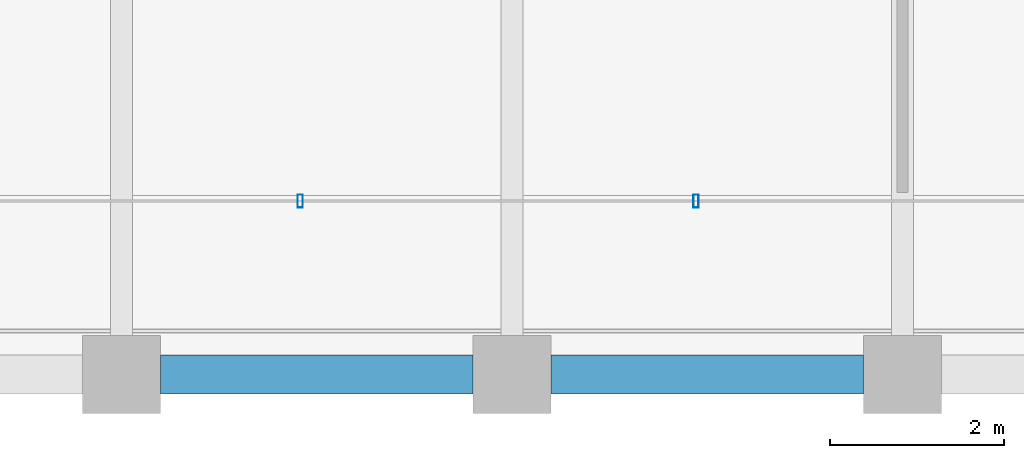
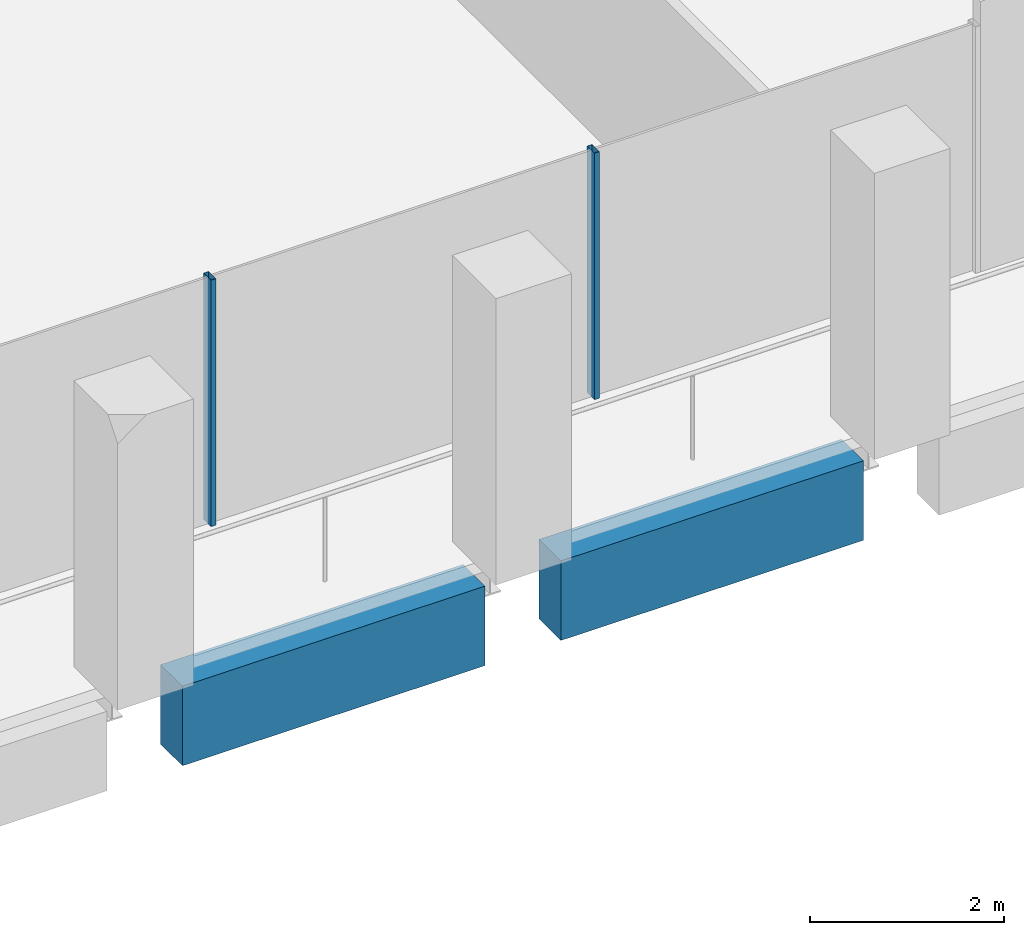
# One storey, part 3 of 40: 2 beams, 2 members, 1 element without a shape of its own.
"""IFC4 building model written with IfcOpenShell, lengths in metres."""

import ifcopenshell
import ifcopenshell.guid

model = None  # the IFC model being written
_history = None  # IfcOwnerHistory: only IFC2X3 demands one
_inside = {}  # id of a spatial element -> (the spatial element, [elements in it])
_under = {}  # id of a project, library or spatial element -> (it, [spatial elements below it])
_declared = {}  # id of a project -> (the project, [libraries it declares])
_typed = {}  # id of a type object -> (the type object, [elements of that type])
_made_of = {}  # id of a material, layer set ... -> (it, [elements and type objects made of it])


def new_model(schema):
    """Start an empty IFC model of exactly this schema.

    Asked for "IFC4X3", IfcOpenShell would pick the latest addendum, in which some entities
    have other attributes; the version numbers below select the first issue.
    IFC2X3 requires an IfcOwnerHistory on every rooted entity: one is made here for all.
    """
    global model, _history
    if schema == "IFC4X3":
        model = ifcopenshell.file(schema_version=(4, 3, 0, 0))
    else:
        model = ifcopenshell.file(schema=schema)
    _inside.clear()
    _under.clear()
    _declared.clear()
    _typed.clear()
    _made_of.clear()
    _history = None
    if model.schema == "IFC2X3":
        org = make("IfcOrganization", Name="unknown")
        user = make(
            "IfcPersonAndOrganization",
            ThePerson=make("IfcPerson", FamilyName="unknown"),
            TheOrganization=org,
        )
        app = make(
            "IfcApplication",
            ApplicationDeveloper=org,
            Version="unknown",
            ApplicationFullName="unknown",
            ApplicationIdentifier="unknown",
        )
        _history = make(
            "IfcOwnerHistory",
            OwningUser=user,
            OwningApplication=app,
            ChangeAction="ADDED",
            CreationDate=0,
        )
    return model


def make(cls, **values):
    """One entity of the class cls with the attributes given. An attribute that is None is left unset."""
    return model.create_entity(
        cls, **{name: value for name, value in values.items() if value is not None}
    )


def rooted(cls, **values):
    """An entity with a GlobalId (a new one), such as an element, a storey or a relation."""
    return make(cls, GlobalId=ifcopenshell.guid.new(), OwnerHistory=_history, **values)


def si_unit(unit_type, name, prefix=None):
    """IfcSIUnit, for example si_unit("LENGTHUNIT", "METRE", prefix="MILLI")."""
    return make("IfcSIUnit", UnitType=unit_type, Prefix=prefix, Name=name)


def assignment(units):
    """IfcUnitAssignment: the units of a project."""
    return None if units is None else make("IfcUnitAssignment", Units=units)


def point(xyz):
    """IfcCartesianPoint."""
    return None if xyz is None else make("IfcCartesianPoint", Coordinates=xyz)


def direction(xyz):
    """IfcDirection."""
    return None if xyz is None else make("IfcDirection", DirectionRatios=xyz)


def frame(location, z_axis=None, x_axis=None):
    """IfcAxis2Placement3D, a coordinate frame: its origin and axes. An axis left out is left unset."""
    return make(
        "IfcAxis2Placement3D",
        Location=point(location),
        Axis=direction(z_axis),
        RefDirection=direction(x_axis),
    )


def frame_2d(location, x_axis=None):
    """IfcAxis2Placement2D, a coordinate frame in the plane: its origin and x axis."""
    return make(
        "IfcAxis2Placement2D", Location=point(location), RefDirection=direction(x_axis)
    )


def origin():
    """The frame at (0, 0, 0) with its axes left unset."""
    return frame((0.0, 0.0, 0.0))


def origin_2d():
    """The frame at (0, 0) in the plane with its x axis left unset."""
    return frame_2d((0.0, 0.0))


def place(relative_to, where):
    """IfcLocalPlacement: puts the frame where relative to a parent placement (None: the world)."""
    return make(
        "IfcLocalPlacement", PlacementRelTo=relative_to, RelativePlacement=where
    )


def context(
    kind, dimensions, precision=None, world=None, true_north=None, identifier=None
):
    """IfcGeometricRepresentationContext, for example the 3D "Model" context."""
    return make(
        "IfcGeometricRepresentationContext",
        ContextIdentifier=identifier,
        ContextType=kind,
        CoordinateSpaceDimension=dimensions,
        Precision=precision,
        WorldCoordinateSystem=world,
        TrueNorth=true_north,
    )


def subcontext(parent, identifier, kind, view, scale=None):
    """IfcGeometricRepresentationSubContext, for example "Body" below "Model"."""
    return make(
        "IfcGeometricRepresentationSubContext",
        ContextIdentifier=identifier,
        ContextType=kind,
        ParentContext=parent,
        TargetScale=scale,
        TargetView=view,
    )


def project(units=None, contexts=None):
    """IfcProject with its units and contexts."""
    return rooted(
        "IfcProject",
        Name="project",
        RepresentationContexts=contexts,
        UnitsInContext=assignment(units),
    )


def spatial(cls, under=None, at=None, **own):
    """A site, building, storey or space (cls), placed at a placement, below another one or the project."""
    s = rooted(cls, ObjectPlacement=at, **own)
    if under is not None:
        _under.setdefault(under.id(), (under, []))[1].append(s)
    return s


def profile(cls, at=None, kind="AREA", **sizes):
    """A parametric profile (cls). Its sizes go by their IFC names, for example OverallWidth=200.0."""
    return make(cls, ProfileType=kind, Position=at, **sizes)


def rectangle(**sizes):
    """IfcRectangleProfileDef."""
    return profile("IfcRectangleProfileDef", **sizes)


def hollow_rectangle(**sizes):
    """IfcRectangleHollowProfileDef."""
    return profile("IfcRectangleHollowProfileDef", **sizes)


def extrude(swept, where, along, depth):
    """IfcExtrudedAreaSolid: the profile swept, set in the frame where, extruded along a direction by depth."""
    return make(
        "IfcExtrudedAreaSolid",
        SweptArea=swept,
        Position=where,
        ExtrudedDirection=direction(along),
        Depth=depth,
    )


def shape(context_of_items, identifier, shape_type, items):
    """IfcShapeRepresentation: the items that make up one representation, for example the "Body"."""
    return make(
        "IfcShapeRepresentation",
        ContextOfItems=context_of_items,
        RepresentationIdentifier=identifier,
        RepresentationType=shape_type,
        Items=items,
    )


def material(Name=None, Category=None):
    """IfcMaterial."""
    return make("IfcMaterial", Name=Name, Category=Category)


def material_profile(
    of_material, cross_section, Name=None, Category=None, Priority=None
):
    """IfcMaterialProfile: a cross section and its material."""
    return make(
        "IfcMaterialProfile",
        Name=Name,
        Material=of_material,
        Profile=cross_section,
        Priority=Priority,
        Category=Category,
    )


def profile_set(profiles, Name=None, composite=None):
    """IfcMaterialProfileSet."""
    return make(
        "IfcMaterialProfileSet",
        Name=Name,
        MaterialProfiles=profiles,
        CompositeProfile=composite,
    )


def made_of(thing, what):
    """Note that an element or type object is made of a material, layer set ...; save() writes the relation."""
    if what is not None:
        _made_of.setdefault(what.id(), (what, []))[1].append(thing)
    return thing


def type_object(cls, material=None, **own):
    """A type object (cls), such as IfcWallType, which elements share."""
    return made_of(rooted(cls, **own), material)


def element(
    cls,
    number,
    at=None,
    inside=None,
    cuts=None,
    type_object=None,
    material=None,
    context=None,
    identifier="Body",
    shape_type=None,
    held_by="IfcProductDefinitionShape",
    body=None,
    shapes=None,
    **own,
):
    """One element of the class cls, such as IfcWall. Its Tag is "e" and its number.

    at: its placement. inside: the storey or other place that contains it. cuts: it is an
    opening in that element (IfcRelVoidsElement). A single representation is given by context,
    identifier, shape_type and body (its items); several are given by shapes. held_by: the class
    of the entity that holds the representations. save() writes the other relations.
    """
    e = rooted(cls, Tag="e%d" % number, ObjectPlacement=at, **own)
    if body is not None:
        shapes = [shape(context, identifier, shape_type, body)]
    if shapes is not None:
        e.Representation = make(held_by, Representations=shapes)
    if inside is not None:
        _inside.setdefault(inside.id(), (inside, []))[1].append(e)
    if cuts is not None:
        rooted(
            "IfcRelVoidsElement", RelatingBuildingElement=cuts, RelatedOpeningElement=e
        )
    if type_object is not None:
        _typed.setdefault(type_object.id(), (type_object, []))[1].append(e)
    return made_of(e, material)


def aggregate(whole, parts):
    """IfcRelAggregates: a whole, such as a stair, and the parts it consists of."""
    return rooted("IfcRelAggregates", RelatingObject=whole, RelatedObjects=parts)


def save(model, path):
    """Write the relations noted so far, then the file.

    IfcRelAggregates (storeys below a building ...), IfcRelContainedInSpatialStructure (elements
    in a storey), IfcRelDefinesByType, IfcRelAssociatesMaterial and IfcRelDeclares: one each for
    every whole, place, type object, material and project.
    """
    for whole, parts in _under.values():
        aggregate(whole, parts)
    for where, things in _inside.values():
        rooted(
            "IfcRelContainedInSpatialStructure",
            RelatedElements=things,
            RelatingStructure=where,
        )
    for kind, things in _typed.values():
        rooted("IfcRelDefinesByType", RelatedObjects=things, RelatingType=kind)
    for what, things in _made_of.values():
        rooted("IfcRelAssociatesMaterial", RelatedObjects=things, RelatingMaterial=what)
    for by, libraries in _declared.values():
        rooted("IfcRelDeclares", RelatingContext=by, RelatedDefinitions=libraries)
    model.write(path)


model = new_model("IFC4")

# Units and contexts
model_context = context("Model", 3, precision=1e-05, world=origin(), true_north=direction((0.0, 1.0)))
body_context = subcontext(model_context, "Body", "Model", "MODEL_VIEW")
ifc_project = project(units=[si_unit("LENGTHUNIT", "METRE"), si_unit("AREAUNIT", "SQUARE_METRE"), si_unit("VOLUMEUNIT", "CUBIC_METRE"), si_unit("PLANEANGLEUNIT", "RADIAN"), si_unit("MASSUNIT", "GRAM", prefix="KILO")], contexts=[model_context])

# Site, building, storey
site_placement = place(None, origin())
site = spatial("IfcSite", under=ifc_project, at=site_placement, CompositionType="ELEMENT")
building_placement = place(site_placement, origin())
building = spatial("IfcBuilding", under=site, at=building_placement, Name="Altepetl Exchange Towers", CompositionType="ELEMENT")
storey_placement = place(building_placement, frame((0.0, 0.0, 187.0)))
storey = spatial("IfcBuildingStorey", under=building, at=storey_placement, Name="L47", CompositionType="ELEMENT", Elevation=187.0)

# Curtain wall, members
ifc_material_1 = material(Name="Aluminium 6063-T6 glazing", Category="aluminium")
curtain_wall_type = type_object("IfcCurtainWallType", Name="Loggia glazing system", PredefinedType="NOTDEFINED", material=ifc_material_1)
curtain_wall_placement = place(storey_placement, origin())
curtain_wall = element("IfcCurtainWall", 1, at=curtain_wall_placement, inside=storey, type_object=curtain_wall_type, Name="CW1 run", PredefinedType="NOTDEFINED")
ifc_material_2 = material(Name="Aluminium 6063-T6", Category="aluminium")
ifc_material_profile_1 = material_profile(ifc_material_2, hollow_rectangle(XDim=0.06005859375, YDim=0.14990234375, WallThickness=0.0029296875, at=origin_2d()), Name="Mullion 60x150 aluminium")
ifc_profile_set_1 = profile_set([ifc_material_profile_1], Name="Aluminium 6063-T6")
member_type = type_object("IfcMemberType", Name="Mullion 60x150 aluminium", PredefinedType="MULLION", material=ifc_profile_set_1)
member_1_placement = place(storey_placement, frame((38.060791015625, 29.0, 0.0)))
member_1 = element("IfcMember", 2, at=member_1_placement, type_object=member_type, Name="MU1 mullion", PredefinedType="MULLION", context=body_context, shape_type="SweptSolid", body=[
    extrude(hollow_rectangle(XDim=0.06005859375, YDim=0.14990234375, WallThickness=0.0029296875, at=origin_2d()), origin(), (0.0, 0.0, 1.0), 3.10009765625),
])
member_2_placement = place(storey_placement, frame((42.621337890625, 29.0, 0.0)))
member_2 = element("IfcMember", 3, at=member_2_placement, type_object=member_type, Name="MU1 mullion", PredefinedType="MULLION", context=body_context, shape_type="SweptSolid", body=[
    extrude(hollow_rectangle(XDim=0.06005859375, YDim=0.14990234375, WallThickness=0.0029296875, at=origin_2d()), origin(), (0.0, 0.0, 1.0), 3.10009765625),
])
aggregate(curtain_wall, [member_1, member_2])

# Beams
ifc_material_3 = material(Name="Concrete C50/60 precast with cantera blanca facing", Category="concrete")
ifc_material_profile_2 = material_profile(ifc_material_3, rectangle(XDim=0.449951171875, YDim=1.0, at=origin_2d()), Name="450 x 1000")
ifc_profile_set_2 = profile_set([ifc_material_profile_2], Name="Concrete C50/60 precast with cantera blanca facing")
beam_type = type_object("IfcBeamType", Name="Spandrel beam 450x1000 cantera blanca", PredefinedType="SPANDREL", material=ifc_profile_set_2)
for number, where, z_axis, x_axis, name in (
    (4, (36.449951171875, 27.0, -0.64990234375), (1.0, 0.0, 0.0), (0.0, 1.0, 0.0), "sp:A:L47:001"),
    (5, (40.949951171875, 27.0, -0.64990234375), (1.0, 0.0, 0.0), (0.0, 1.0, 0.0), "sp:A:L47:002"),
):
    element("IfcBeam", number, at=place(storey_placement, frame(where, z_axis=z_axis, x_axis=x_axis)), inside=storey, type_object=beam_type, Name=name, PredefinedType="SPANDREL", context=body_context, shape_type="SweptSolid", body=[
        extrude(rectangle(XDim=0.449951171875, YDim=1.0, at=origin_2d()), origin(), (0.0, 0.0, 1.0), 3.60009765625),
    ])

save(model, "model.ifc")
